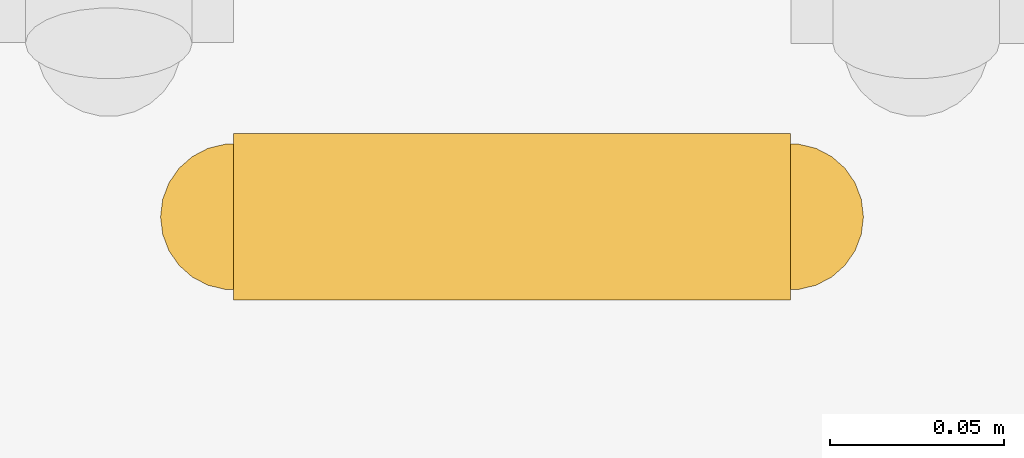
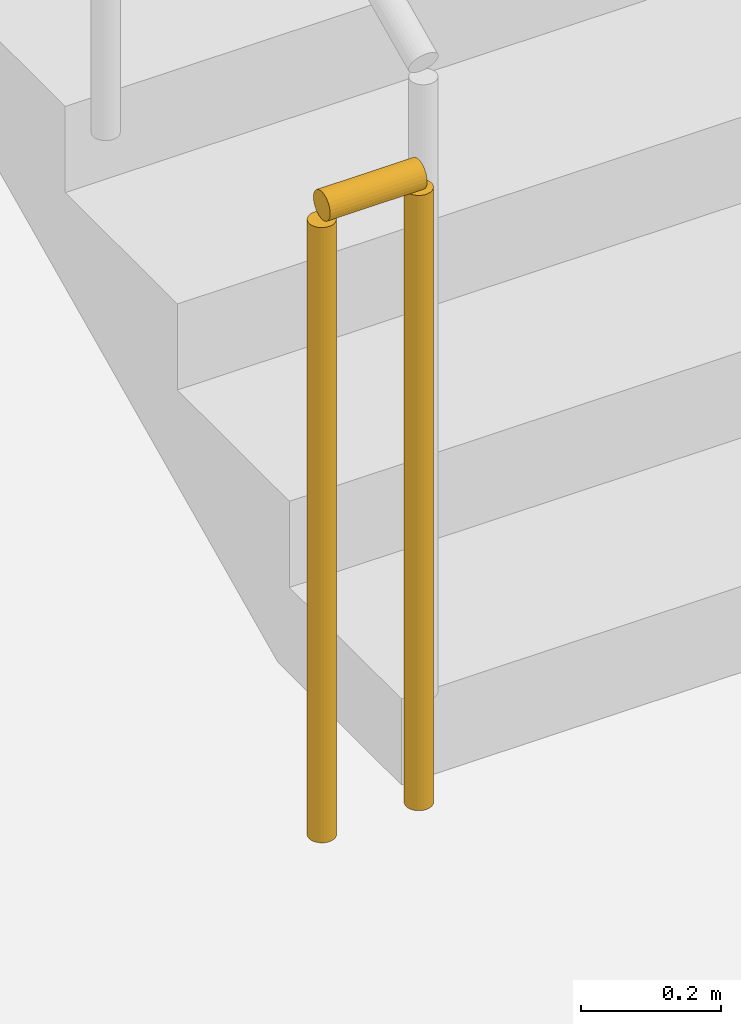
# One storey, part 109 of 137: 1 railing.
"""IFC4 building model written with IfcOpenShell, lengths in metres."""

import ifcopenshell
import ifcopenshell.guid

model = None  # the IFC model being written
_history = None  # IfcOwnerHistory: only IFC2X3 demands one
_inside = {}  # id of a spatial element -> (the spatial element, [elements in it])
_under = {}  # id of a project, library or spatial element -> (it, [spatial elements below it])
_declared = {}  # id of a project -> (the project, [libraries it declares])
_typed = {}  # id of a type object -> (the type object, [elements of that type])
_made_of = {}  # id of a material, layer set ... -> (it, [elements and type objects made of it])


def new_model(schema):
    """Start an empty IFC model of exactly this schema.

    Asked for "IFC4X3", IfcOpenShell would pick the latest addendum, in which some entities
    have other attributes; the version numbers below select the first issue.
    IFC2X3 requires an IfcOwnerHistory on every rooted entity: one is made here for all.
    """
    global model, _history
    if schema == "IFC4X3":
        model = ifcopenshell.file(schema_version=(4, 3, 0, 0))
    else:
        model = ifcopenshell.file(schema=schema)
    _inside.clear()
    _under.clear()
    _declared.clear()
    _typed.clear()
    _made_of.clear()
    _history = None
    if model.schema == "IFC2X3":
        org = make("IfcOrganization", Name="unknown")
        user = make(
            "IfcPersonAndOrganization",
            ThePerson=make("IfcPerson", FamilyName="unknown"),
            TheOrganization=org,
        )
        app = make(
            "IfcApplication",
            ApplicationDeveloper=org,
            Version="unknown",
            ApplicationFullName="unknown",
            ApplicationIdentifier="unknown",
        )
        _history = make(
            "IfcOwnerHistory",
            OwningUser=user,
            OwningApplication=app,
            ChangeAction="ADDED",
            CreationDate=0,
        )
    return model


def make(cls, **values):
    """One entity of the class cls with the attributes given. An attribute that is None is left unset."""
    return model.create_entity(
        cls, **{name: value for name, value in values.items() if value is not None}
    )


def rooted(cls, **values):
    """An entity with a GlobalId (a new one), such as an element, a storey or a relation."""
    return make(cls, GlobalId=ifcopenshell.guid.new(), OwnerHistory=_history, **values)


def si_unit(unit_type, name, prefix=None):
    """IfcSIUnit, for example si_unit("LENGTHUNIT", "METRE", prefix="MILLI")."""
    return make("IfcSIUnit", UnitType=unit_type, Prefix=prefix, Name=name)


def assignment(units):
    """IfcUnitAssignment: the units of a project."""
    return None if units is None else make("IfcUnitAssignment", Units=units)


def point(xyz):
    """IfcCartesianPoint."""
    return None if xyz is None else make("IfcCartesianPoint", Coordinates=xyz)


def direction(xyz):
    """IfcDirection."""
    return None if xyz is None else make("IfcDirection", DirectionRatios=xyz)


def frame(location, z_axis=None, x_axis=None):
    """IfcAxis2Placement3D, a coordinate frame: its origin and axes. An axis left out is left unset."""
    return make(
        "IfcAxis2Placement3D",
        Location=point(location),
        Axis=direction(z_axis),
        RefDirection=direction(x_axis),
    )


def frame_2d(location, x_axis=None):
    """IfcAxis2Placement2D, a coordinate frame in the plane: its origin and x axis."""
    return make(
        "IfcAxis2Placement2D", Location=point(location), RefDirection=direction(x_axis)
    )


def origin():
    """The frame at (0, 0, 0) with its axes left unset."""
    return frame((0.0, 0.0, 0.0))


def origin_2d():
    """The frame at (0, 0) in the plane with its x axis left unset."""
    return frame_2d((0.0, 0.0))


def place(relative_to, where):
    """IfcLocalPlacement: puts the frame where relative to a parent placement (None: the world)."""
    return make(
        "IfcLocalPlacement", PlacementRelTo=relative_to, RelativePlacement=where
    )


def context(
    kind, dimensions, precision=None, world=None, true_north=None, identifier=None
):
    """IfcGeometricRepresentationContext, for example the 3D "Model" context."""
    return make(
        "IfcGeometricRepresentationContext",
        ContextIdentifier=identifier,
        ContextType=kind,
        CoordinateSpaceDimension=dimensions,
        Precision=precision,
        WorldCoordinateSystem=world,
        TrueNorth=true_north,
    )


def subcontext(parent, identifier, kind, view, scale=None):
    """IfcGeometricRepresentationSubContext, for example "Body" below "Model"."""
    return make(
        "IfcGeometricRepresentationSubContext",
        ContextIdentifier=identifier,
        ContextType=kind,
        ParentContext=parent,
        TargetScale=scale,
        TargetView=view,
    )


def project(units=None, contexts=None):
    """IfcProject with its units and contexts."""
    return rooted(
        "IfcProject",
        Name="project",
        RepresentationContexts=contexts,
        UnitsInContext=assignment(units),
    )


def spatial(cls, under=None, at=None, **own):
    """A site, building, storey or space (cls), placed at a placement, below another one or the project."""
    s = rooted(cls, ObjectPlacement=at, **own)
    if under is not None:
        _under.setdefault(under.id(), (under, []))[1].append(s)
    return s


def profile(cls, at=None, kind="AREA", **sizes):
    """A parametric profile (cls). Its sizes go by their IFC names, for example OverallWidth=200.0."""
    return make(cls, ProfileType=kind, Position=at, **sizes)


def circle(**sizes):
    """IfcCircleProfileDef."""
    return profile("IfcCircleProfileDef", **sizes)


def extrude(swept, where, along, depth):
    """IfcExtrudedAreaSolid: the profile swept, set in the frame where, extruded along a direction by depth."""
    return make(
        "IfcExtrudedAreaSolid",
        SweptArea=swept,
        Position=where,
        ExtrudedDirection=direction(along),
        Depth=depth,
    )


def shape(context_of_items, identifier, shape_type, items):
    """IfcShapeRepresentation: the items that make up one representation, for example the "Body"."""
    return make(
        "IfcShapeRepresentation",
        ContextOfItems=context_of_items,
        RepresentationIdentifier=identifier,
        RepresentationType=shape_type,
        Items=items,
    )


def material(Name=None, Category=None):
    """IfcMaterial."""
    return make("IfcMaterial", Name=Name, Category=Category)


def layer(
    of_material, thickness, ventilated=None, Name=None, Category=None, Priority=None
):
    """IfcMaterialLayer: one layer of a wall or slab, of a material (None: an air gap)."""
    return make(
        "IfcMaterialLayer",
        Material=of_material,
        LayerThickness=thickness,
        IsVentilated=ventilated,
        Name=Name,
        Category=Category,
        Priority=Priority,
    )


def layer_set(layers, Name=None):
    """IfcMaterialLayerSet."""
    return make("IfcMaterialLayerSet", MaterialLayers=layers, LayerSetName=Name)


def made_of(thing, what):
    """Note that an element or type object is made of a material, layer set ...; save() writes the relation."""
    if what is not None:
        _made_of.setdefault(what.id(), (what, []))[1].append(thing)
    return thing


def type_object(cls, material=None, **own):
    """A type object (cls), such as IfcWallType, which elements share."""
    return made_of(rooted(cls, **own), material)


def element(
    cls,
    number,
    at=None,
    inside=None,
    cuts=None,
    type_object=None,
    material=None,
    context=None,
    identifier="Body",
    shape_type=None,
    held_by="IfcProductDefinitionShape",
    body=None,
    shapes=None,
    **own,
):
    """One element of the class cls, such as IfcWall. Its Tag is "e" and its number.

    at: its placement. inside: the storey or other place that contains it. cuts: it is an
    opening in that element (IfcRelVoidsElement). A single representation is given by context,
    identifier, shape_type and body (its items); several are given by shapes. held_by: the class
    of the entity that holds the representations. save() writes the other relations.
    """
    e = rooted(cls, Tag="e%d" % number, ObjectPlacement=at, **own)
    if body is not None:
        shapes = [shape(context, identifier, shape_type, body)]
    if shapes is not None:
        e.Representation = make(held_by, Representations=shapes)
    if inside is not None:
        _inside.setdefault(inside.id(), (inside, []))[1].append(e)
    if cuts is not None:
        rooted(
            "IfcRelVoidsElement", RelatingBuildingElement=cuts, RelatedOpeningElement=e
        )
    if type_object is not None:
        _typed.setdefault(type_object.id(), (type_object, []))[1].append(e)
    return made_of(e, material)


def aggregate(whole, parts):
    """IfcRelAggregates: a whole, such as a stair, and the parts it consists of."""
    return rooted("IfcRelAggregates", RelatingObject=whole, RelatedObjects=parts)


def save(model, path):
    """Write the relations noted so far, then the file.

    IfcRelAggregates (storeys below a building ...), IfcRelContainedInSpatialStructure (elements
    in a storey), IfcRelDefinesByType, IfcRelAssociatesMaterial and IfcRelDeclares: one each for
    every whole, place, type object, material and project.
    """
    for whole, parts in _under.values():
        aggregate(whole, parts)
    for where, things in _inside.values():
        rooted(
            "IfcRelContainedInSpatialStructure",
            RelatedElements=things,
            RelatingStructure=where,
        )
    for kind, things in _typed.values():
        rooted("IfcRelDefinesByType", RelatedObjects=things, RelatingType=kind)
    for what, things in _made_of.values():
        rooted("IfcRelAssociatesMaterial", RelatedObjects=things, RelatingMaterial=what)
    for by, libraries in _declared.values():
        rooted("IfcRelDeclares", RelatingContext=by, RelatedDefinitions=libraries)
    model.write(path)


model = new_model("IFC4")

# Units and contexts
model_context = context("Model", 3, precision=1e-05, world=origin(), true_north=direction((0.0, 1.0)))
body_context = subcontext(model_context, "Body", "Model", "MODEL_VIEW")
ifc_project = project(units=[si_unit("LENGTHUNIT", "METRE"), si_unit("AREAUNIT", "SQUARE_METRE"), si_unit("VOLUMEUNIT", "CUBIC_METRE"), si_unit("PLANEANGLEUNIT", "RADIAN"), si_unit("MASSUNIT", "GRAM", prefix="KILO")], contexts=[model_context])

# Site, building, storey
site_placement = place(None, origin())
site = spatial("IfcSite", under=ifc_project, at=site_placement, CompositionType="ELEMENT")
building_placement = place(site_placement, origin())
building = spatial("IfcBuilding", under=site, at=building_placement, Name="Celestram Park Convention Centre", CompositionType="ELEMENT")
storey_placement = place(building_placement, origin())
storey = spatial("IfcBuildingStorey", under=building, at=storey_placement, Name="L00", CompositionType="ELEMENT", Elevation=0.0)

# Railing
ifc_material = material(Name="Stainless Steel AISI 316L & Laminated Glass", Category="steel")
ifc_layer = layer(ifc_material, 0.06005859375)
ifc_layer_set = layer_set([ifc_layer], Name="Stainless Steel AISI 316L & Laminated Glass")
railing_type = type_object("IfcRailingType", Name="ARC-RL-GRD1120", PredefinedType="GUARDRAIL", material=ifc_layer_set)
railing_placement = place(storey_placement, frame((14.39990234375, 119.35009765625, 0.0)))
element("IfcRailing", 1, at=railing_placement, inside=storey, type_object=railing_type, Name="L00 ST-15 stair guard 4", PredefinedType="GUARDRAIL", context=body_context, shape_type="SweptSolid", body=[
    extrude(circle(Radius=0.02392578125, at=origin_2d()), frame((0.0, 0.0, 1.09619140625), z_axis=(-1.0, 0.0, 0.0), x_axis=(0.0, -1.0, 0.0)), (0.0, 0.0, 1.0), 0.159912109375),
    extrude(circle(Radius=0.02099609375, at=origin_2d()), origin(), (0.0, 0.0, 1.0), 1.072021484375),
    extrude(circle(Radius=0.02099609375, at=origin_2d()), frame((-0.159912109375, 0.0, 0.0)), (0.0, 0.0, 1.0), 1.072021484375),
])

save(model, "model.ifc")
